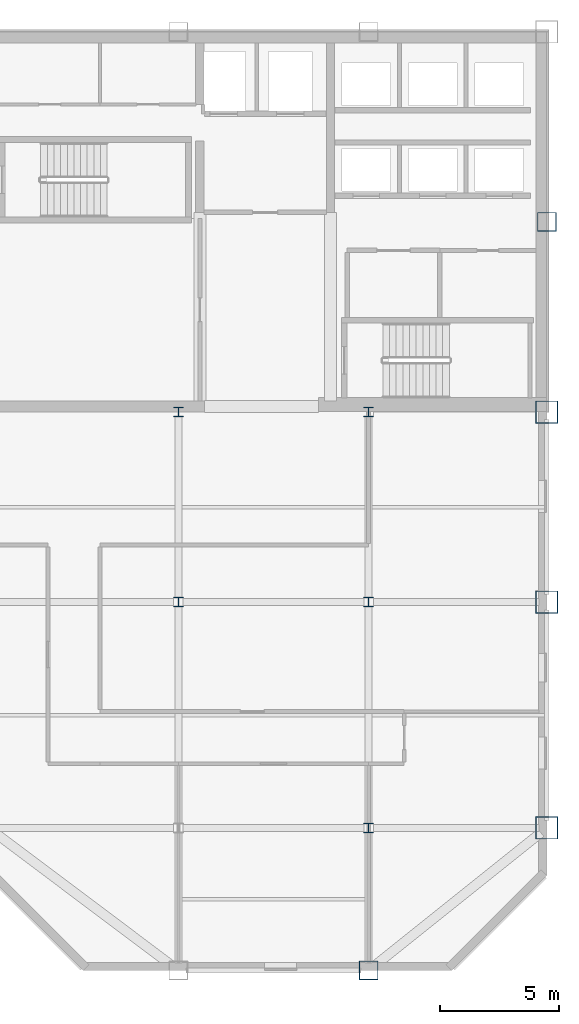
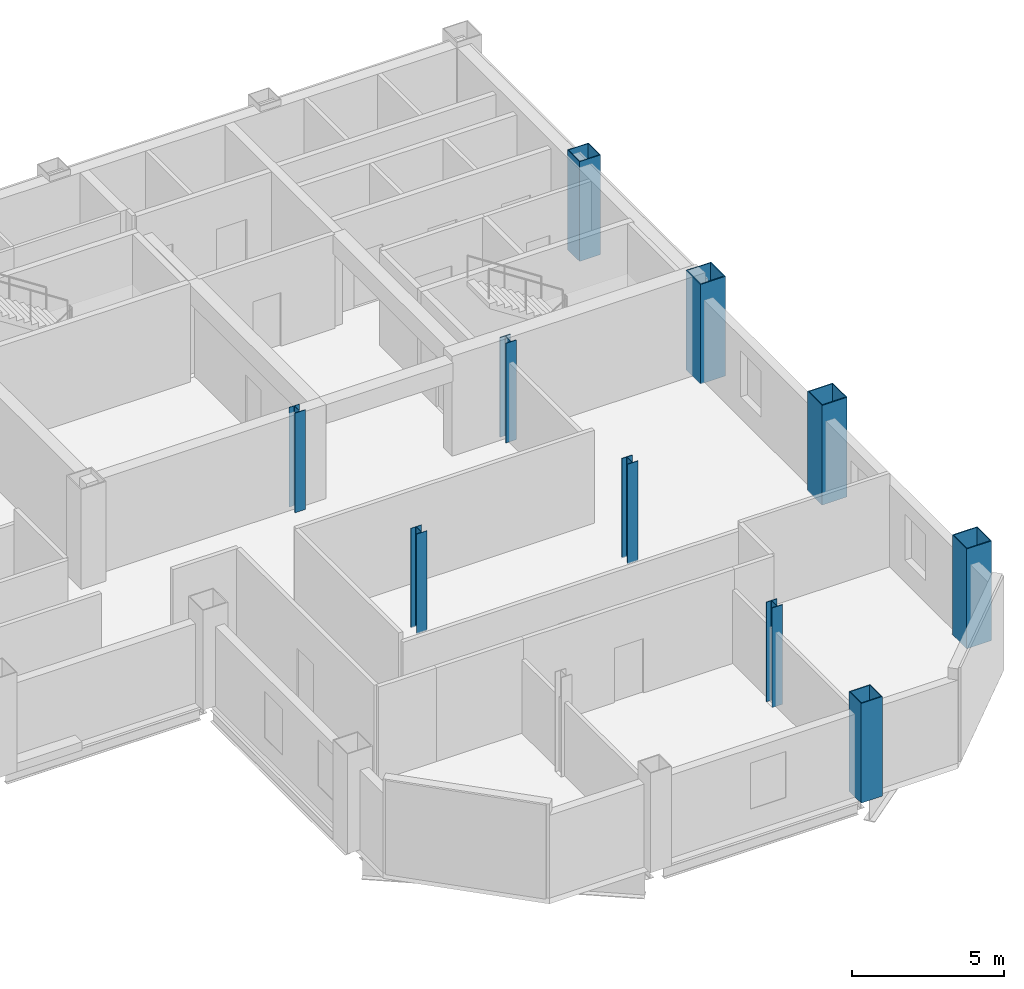
# One storey, part 2 of 10: 10 columns.
"""IFC4 building model written with IfcOpenShell, lengths in metres."""

from ifc_helpers import new_model, si_unit, direction, frame, origin, origin_2d, place, context, subcontext, project, spatial, hollow_rectangle, i_section, extrude, material, material_profile, profile_set, type_object, element, save


model = new_model("IFC4")

# Units and contexts
model_context = context("Model", 3, precision=1e-05, world=origin(), true_north=direction((0.0, 1.0)))
body_context = subcontext(model_context, "Body", "Model", "MODEL_VIEW")
ifc_project = project(units=[si_unit("LENGTHUNIT", "METRE"), si_unit("AREAUNIT", "SQUARE_METRE"), si_unit("VOLUMEUNIT", "CUBIC_METRE"), si_unit("PLANEANGLEUNIT", "RADIAN"), si_unit("MASSUNIT", "GRAM", prefix="KILO")], contexts=[model_context])

# Site, building, storey
site_placement = place(None, origin())
site = spatial("IfcSite", under=ifc_project, at=site_placement, CompositionType="ELEMENT")
building_placement = place(site_placement, origin())
building = spatial("IfcBuilding", under=site, at=building_placement, Name="Qianrong Seaharbour Tower", CompositionType="ELEMENT")
storey_placement = place(building_placement, frame((0.0, 0.0, 217.800048828125)))
storey = spatial("IfcBuildingStorey", under=building, at=storey_placement, Name="L52", CompositionType="ELEMENT", Elevation=217.800048828125)

# Columns
ifc_material = material(Name="Structural steel SN490B", Category="steel")
ifc_material_profile_1 = material_profile(ifc_material, hollow_rectangle(XDim=0.949951171875, YDim=0.949951171875, WallThickness=0.035888671875, at=origin_2d()), Name="BOX950x950x36")
ifc_profile_set_1 = profile_set([ifc_material_profile_1], Name="Structural steel SN490B")
column_type_1 = type_object("IfcColumnType", Name="COL-CFT-950", PredefinedType="COLUMN", material=ifc_profile_set_1)
for number, where, z_axis, x_axis, name in (
    (1, (64.0, 18.5, 0.0), (0.0, 0.0, 1.0), (1.0, 0.0, 0.0), "L52 Column MC-4 at G9/GD"),
    (2, (64.0, 28.0, 0.0), (0.0, 0.0, 1.0), (1.0, 0.0, 0.0), "L52 Column MC-4 at G9/GE"),
    (3, (64.0, 36.0, 0.0), (0.0, 0.0, 1.0), (1.0, 0.0, 0.0), "L52 Column MC-4 at G9/GF"),
):
    element("IfcColumn", number, at=place(storey_placement, frame(where, z_axis=z_axis, x_axis=x_axis)), inside=storey, type_object=column_type_1, Name=name, PredefinedType="COLUMN", context=body_context, shape_type="SweptSolid", body=[
        extrude(hollow_rectangle(XDim=0.949951171875, YDim=0.949951171875, WallThickness=0.035888671875, at=origin_2d()), origin(), (0.0, 0.0, 1.0), 4.0),
    ])
ifc_material_profile_2 = material_profile(ifc_material, i_section(OverallWidth=0.39990234375, OverallDepth=0.39990234375, WebThickness=0.012939453125, FlangeThickness=0.02099609375, FilletRadius=0.02197265625, at=origin_2d()), Name="H400x400x13x21")
ifc_profile_set_2 = profile_set([ifc_material_profile_2], Name="Structural steel SN490B")
column_type_2 = type_object("IfcColumnType", Name="COL-INT-H400", PredefinedType="COLUMN", material=ifc_profile_set_2)
for number, where, z_axis, x_axis, name in (
    (4, (48.5, 28.0, 0.0), (0.0, 0.0, 1.0), (1.0, 0.0, 0.0), "L52 Column IC-3 at G7/GE"),
    (5, (48.5, 36.0, 0.0), (0.0, 0.0, 1.0), (1.0, 0.0, 0.0), "L52 Column IC-3 at G7/GF"),
    (6, (56.5, 18.5, 0.0), (0.0, 0.0, 1.0), (1.0, 0.0, 0.0), "L52 Column IC-3 at G8/GD"),
    (7, (56.5, 28.0, 0.0), (0.0, 0.0, 1.0), (1.0, 0.0, 0.0), "L52 Column IC-3 at G8/GE"),
    (8, (56.5, 36.0, 0.0), (0.0, 0.0, 1.0), (1.0, 0.0, 0.0), "L52 Column IC-3 at G8/GF"),
):
    element("IfcColumn", number, at=place(storey_placement, frame(where, z_axis=z_axis, x_axis=x_axis)), inside=storey, type_object=column_type_2, Name=name, PredefinedType="COLUMN", context=body_context, shape_type="SweptSolid", body=[
        extrude(i_section(OverallWidth=0.39990234375, OverallDepth=0.39990234375, WebThickness=0.012939453125, FlangeThickness=0.02099609375, FilletRadius=0.02197265625, at=origin_2d()), origin(), (0.0, 0.0, 1.0), 4.0),
    ])
ifc_material_profile_3 = material_profile(ifc_material, hollow_rectangle(XDim=0.800048828125, YDim=0.800048828125, WallThickness=0.031982421875, at=origin_2d()), Name="BOX800x800x32")
ifc_profile_set_3 = profile_set([ifc_material_profile_3], Name="Structural steel SN490B")
column_type_3 = type_object("IfcColumnType", Name="COL-PER-800", PredefinedType="COLUMN", material=ifc_profile_set_3)
for number, where, z_axis, x_axis, name in (
    (9, (56.5, 12.5, 0.0), (0.0, 0.0, 1.0), (1.0, 0.0, 0.0), "L52 Column PC-3 at G8/GC"),
    (10, (64.0, 44.0, 0.0), (0.0, 0.0, 1.0), (1.0, 0.0, 0.0), "L52 Column PC-3 at G9/GG"),
):
    element("IfcColumn", number, at=place(storey_placement, frame(where, z_axis=z_axis, x_axis=x_axis)), inside=storey, type_object=column_type_3, Name=name, PredefinedType="COLUMN", context=body_context, shape_type="SweptSolid", body=[
        extrude(hollow_rectangle(XDim=0.800048828125, YDim=0.800048828125, WallThickness=0.031982421875, at=origin_2d()), origin(), (0.0, 0.0, 1.0), 4.0),
    ])

save(model, "model.ifc")
